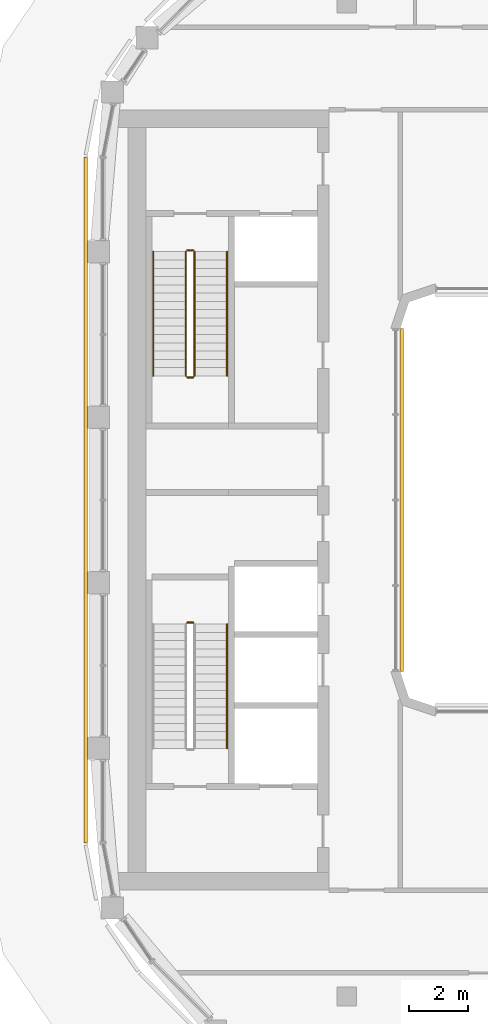
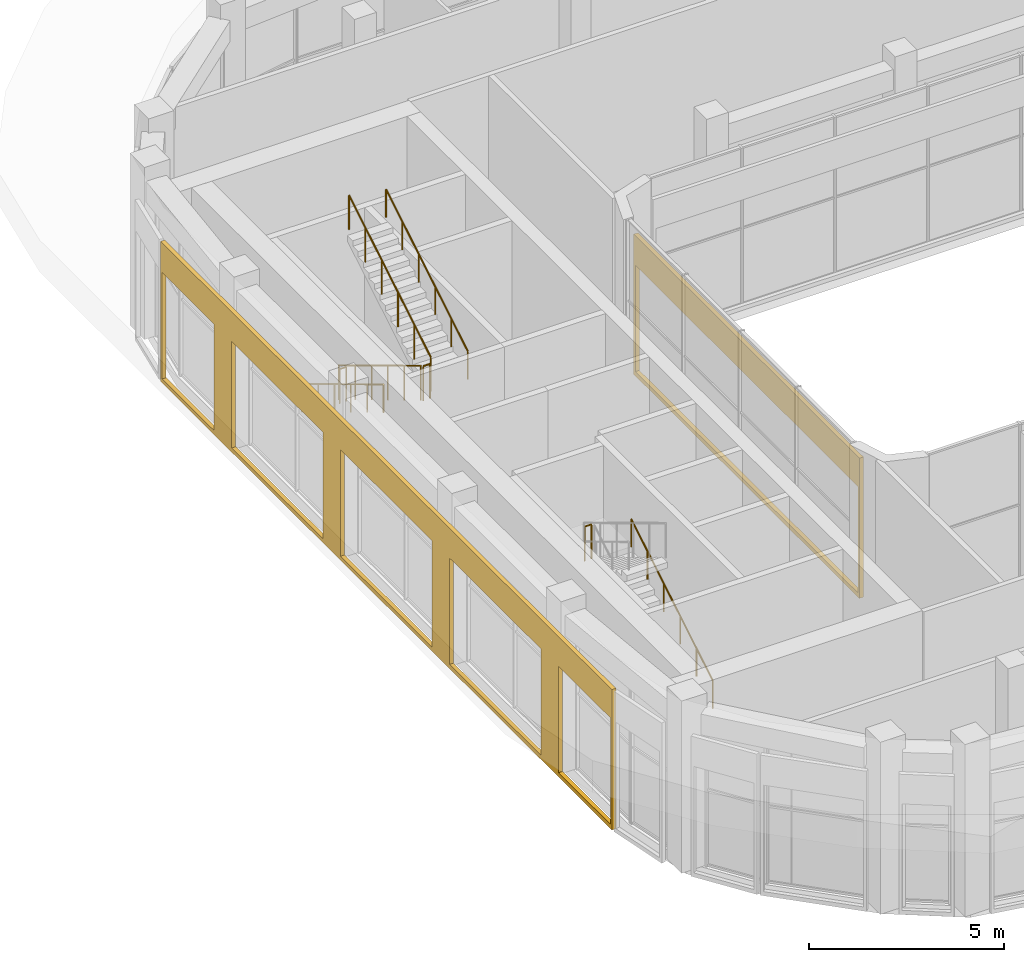
# One storey, part 21 of 24: 8 railings, 2 coverings.
"""IFC4 building model written with IfcOpenShell, lengths in metres."""

from ifc_helpers import new_model, si_unit, direction, frame, origin, origin_2d, place, context, subcontext, project, spatial, polyline, circle, outline, extrude, material, layer, layer_set, type_object, element, save


model = new_model("IFC4")

# Units and contexts
model_context = context("Model", 3, precision=1e-05, world=origin(), true_north=direction((0.0, 1.0)))
body_context = subcontext(model_context, "Body", "Model", "MODEL_VIEW")
ifc_project = project(units=[si_unit("LENGTHUNIT", "METRE"), si_unit("AREAUNIT", "SQUARE_METRE"), si_unit("VOLUMEUNIT", "CUBIC_METRE"), si_unit("PLANEANGLEUNIT", "RADIAN"), si_unit("MASSUNIT", "GRAM", prefix="KILO")], contexts=[model_context])

# Site, building, storey
site_placement = place(None, origin())
site = spatial("IfcSite", under=ifc_project, at=site_placement, CompositionType="ELEMENT")
building_placement = place(site_placement, origin())
building = spatial("IfcBuilding", under=site, at=building_placement, Name="Kiln Ring Residences", CompositionType="ELEMENT")
storey_placement = place(building_placement, frame((0.0, 0.0, 283.699951171875)))
storey = spatial("IfcBuildingStorey", under=building, at=storey_placement, Name="L74", CompositionType="ELEMENT", Elevation=283.699951171875)

# Railings
ifc_material_1 = material(Name="Stainless steel", Category="steel")
railing_type_1 = type_object("IfcRailingType", Name="CORE-STAIR-GUARD", PredefinedType="GUARDRAIL", material=ifc_material_1)
railing_1_placement = place(storey_placement, frame((-22.25, 8.39990234375, 0.168701171875)))
element("IfcRailing", 1, at=railing_1_placement, inside=storey, type_object=railing_type_1, Name="L74 W-STN stair guard 1", PredefinedType="GUARDRAIL", context=body_context, shape_type="SweptSolid", body=[
    extrude(circle(Radius=0.02392578125, at=origin_2d()), frame((0.0, 0.0, 1.076171875), z_axis=(0.0, -0.856476492594, 0.516186030065), x_axis=(1.0, 0.0, 0.0)), (0.0, 0.0, 1.0), 4.90380859375),
    extrude(circle(Radius=0.02099609375, at=origin_2d()), origin(), (0.0, 0.0, 1.0), 1.052001953125),
    extrude(circle(Radius=0.02099609375, at=origin_2d()), frame((0.0, -0.840087890625, 0.50634765625)), (0.0, 0.0, 1.0), 1.052001953125),
    extrude(circle(Radius=0.02099609375, at=origin_2d()), frame((0.0, -1.679931640625, 1.012451171875)), (0.0, 0.0, 1.0), 1.052001953125),
    extrude(circle(Radius=0.02099609375, at=origin_2d()), frame((0.0, -2.52001953125, 1.518798828125)), (0.0, 0.0, 1.0), 1.052001953125),
    extrude(circle(Radius=0.02099609375, at=origin_2d()), frame((0.0, -3.35986328125, 2.02490234375)), (0.0, 0.0, 1.0), 1.052001953125),
    extrude(circle(Radius=0.02099609375, at=origin_2d()), frame((0.0, -4.199951171875, 2.53125)), (0.0, 0.0, 1.0), 1.052001953125),
])
railing_2_placement = place(storey_placement, frame((-22.199951171875, 4.14990234375, 2.699951171875)))
element("IfcRailing", 2, at=railing_2_placement, inside=storey, type_object=railing_type_1, Name="L74 W-STN stair guard 2", PredefinedType="GUARDRAIL", context=body_context, shape_type="SweptSolid", body=[
    extrude(circle(Radius=0.02392578125, at=origin_2d()), frame((0.0, 0.0, 1.076171875), z_axis=(1.0, 0.0, 0.0), x_axis=(0.0, 1.0, 0.0)), (0.0, 0.0, 1.0), 0.199951171875),
    extrude(circle(Radius=0.02099609375, at=origin_2d()), origin(), (0.0, 0.0, 1.0), 1.052001953125),
    extrude(circle(Radius=0.02099609375, at=origin_2d()), frame((0.199951171875, 0.0, 0.0)), (0.0, 0.0, 1.0), 1.052001953125),
])
railing_3_placement = place(storey_placement, frame((-21.949951171875, 4.199951171875, 2.868896484375)))
element("IfcRailing", 3, at=railing_3_placement, inside=storey, type_object=railing_type_1, Name="L74 W-STN stair guard 3", PredefinedType="GUARDRAIL", context=body_context, shape_type="SweptSolid", body=[
    extrude(circle(Radius=0.02392578125, at=origin_2d()), frame((0.0, 0.0, 1.076171875), z_axis=(0.0, 0.856476492594, 0.516186030065), x_axis=(-1.0, 0.0, 0.0)), (0.0, 0.0, 1.0), 4.90380859375),
    extrude(circle(Radius=0.02099609375, at=origin_2d()), origin(), (0.0, 0.0, 1.0), 1.052001953125),
    extrude(circle(Radius=0.02099609375, at=origin_2d()), frame((0.0, 0.840087890625, 0.50634765625)), (0.0, 0.0, 1.0), 1.052001953125),
    extrude(circle(Radius=0.02099609375, at=origin_2d()), frame((0.0, 1.679931640625, 1.012451171875)), (0.0, 0.0, 1.0), 1.052001953125),
    extrude(circle(Radius=0.02099609375, at=origin_2d()), frame((0.0, 2.52001953125, 1.518798828125)), (0.0, 0.0, 1.0), 1.052001953125),
    extrude(circle(Radius=0.02099609375, at=origin_2d()), frame((0.0, 3.35986328125, 2.02490234375)), (0.0, 0.0, 1.0), 1.052001953125),
    extrude(circle(Radius=0.02099609375, at=origin_2d()), frame((0.0, 4.199951171875, 2.53125)), (0.0, 0.0, 1.0), 1.052001953125),
])
railing_4_placement = place(storey_placement, frame((-22.199951171875, 8.449951171875, 0.0)))
element("IfcRailing", 4, at=railing_4_placement, inside=storey, type_object=railing_type_1, Name="L74 W-STN stair guard 4", PredefinedType="GUARDRAIL", context=body_context, shape_type="SweptSolid", body=[
    extrude(circle(Radius=0.02392578125, at=origin_2d()), frame((0.0, 0.0, 1.076171875), z_axis=(1.0, 0.0, 0.0), x_axis=(0.0, 1.0, 0.0)), (0.0, 0.0, 1.0), 0.199951171875),
    extrude(circle(Radius=0.02099609375, at=origin_2d()), origin(), (0.0, 0.0, 1.0), 1.052001953125),
    extrude(circle(Radius=0.02099609375, at=origin_2d()), frame((0.199951171875, 0.0, 0.0)), (0.0, 0.0, 1.0), 1.052001953125),
])
railing_5_placement = place(storey_placement, frame((-22.0, -4.14990234375, 2.699951171875)))
element("IfcRailing", 5, at=railing_5_placement, inside=storey, type_object=railing_type_1, Name="L74 W-STS stair guard 2", PredefinedType="GUARDRAIL", context=body_context, shape_type="SweptSolid", body=[
    extrude(circle(Radius=0.02392578125, at=origin_2d()), frame((0.0, 0.0, 1.076171875), z_axis=(-1.0, 0.0, 0.0), x_axis=(0.0, -1.0, 0.0)), (0.0, 0.0, 1.0), 0.199951171875),
    extrude(circle(Radius=0.02099609375, at=origin_2d()), origin(), (0.0, 0.0, 1.0), 1.052001953125),
    extrude(circle(Radius=0.02099609375, at=origin_2d()), frame((-0.199951171875, 0.0, 0.0)), (0.0, 0.0, 1.0), 1.052001953125),
])
ifc_material_2 = material(Name="Stainless steel", Category="steel")
railing_type_2 = type_object("IfcRailingType", Name="CORE-STAIR-HANDRAIL", PredefinedType="HANDRAIL", material=ifc_material_2)
railing_6_placement = place(storey_placement, frame((-23.35009765625, 8.39990234375, 0.168701171875)))
element("IfcRailing", 6, at=railing_6_placement, inside=storey, type_object=railing_type_2, Name="L74 W-STN stair handrail 1", PredefinedType="HANDRAIL", context=body_context, shape_type="SweptSolid", body=[
    extrude(circle(Radius=0.02392578125, at=origin_2d()), frame((0.0, 0.0, 0.8759765625), z_axis=(0.0, -0.856476492594, 0.516186030065), x_axis=(1.0, 0.0, 0.0)), (0.0, 0.0, 1.0), 4.90380859375),
    extrude(circle(Radius=0.02099609375, at=origin_2d()), origin(), (0.0, 0.0, 1.0), 0.851806640625),
    extrude(circle(Radius=0.02099609375, at=origin_2d()), frame((0.0, -0.840087890625, 0.50634765625)), (0.0, 0.0, 1.0), 0.851806640625),
    extrude(circle(Radius=0.02099609375, at=origin_2d()), frame((0.0, -1.679931640625, 1.012451171875)), (0.0, 0.0, 1.0), 0.851806640625),
    extrude(circle(Radius=0.02099609375, at=origin_2d()), frame((0.0, -2.52001953125, 1.518798828125)), (0.0, 0.0, 1.0), 0.851806640625),
    extrude(circle(Radius=0.02099609375, at=origin_2d()), frame((0.0, -3.35986328125, 2.02490234375)), (0.0, 0.0, 1.0), 0.851806640625),
    extrude(circle(Radius=0.02099609375, at=origin_2d()), frame((0.0, -4.199951171875, 2.53125)), (0.0, 0.0, 1.0), 0.851806640625),
])
for number, where, name in (
    (7, (-20.85009765625, 4.199951171875, 2.868896484375), "L74 W-STN stair handrail 2"),
    (8, (-20.85009765625, -8.39990234375, 0.168701171875), "L74 W-STS stair handrail 1"),
):
    element("IfcRailing", number, at=place(storey_placement, frame(where)), inside=storey, type_object=railing_type_2, Name=name, PredefinedType="HANDRAIL", context=body_context, shape_type="SweptSolid", body=[
        extrude(circle(Radius=0.02392578125, at=origin_2d()), frame((0.0, 0.0, 0.8759765625), z_axis=(0.0, 0.856476492594, 0.516186030065), x_axis=(-1.0, 0.0, 0.0)), (0.0, 0.0, 1.0), 4.90380859375),
        extrude(circle(Radius=0.02099609375, at=origin_2d()), origin(), (0.0, 0.0, 1.0), 0.851806640625),
        extrude(circle(Radius=0.02099609375, at=origin_2d()), frame((0.0, 0.840087890625, 0.50634765625)), (0.0, 0.0, 1.0), 0.851806640625),
        extrude(circle(Radius=0.02099609375, at=origin_2d()), frame((0.0, 1.679931640625, 1.012451171875)), (0.0, 0.0, 1.0), 0.851806640625),
        extrude(circle(Radius=0.02099609375, at=origin_2d()), frame((0.0, 2.52001953125, 1.518798828125)), (0.0, 0.0, 1.0), 0.851806640625),
        extrude(circle(Radius=0.02099609375, at=origin_2d()), frame((0.0, 3.35986328125, 2.02490234375)), (0.0, 0.0, 1.0), 0.851806640625),
        extrude(circle(Radius=0.02099609375, at=origin_2d()), frame((0.0, 4.199951171875, 2.53125)), (0.0, 0.0, 1.0), 0.851806640625),
    ])

# Coverings
ifc_material_3 = material(Name="Brick masonry, dark clay brick", Category="masonry")
ifc_layer = layer(ifc_material_3, 0.1201171875)
ifc_layer_set = layer_set([ifc_layer], Name="RAINSCREEN PANEL 120")
covering_type = type_object("IfcCoveringType", Name="RAINSCREEN PANEL 120", PredefinedType="CLADDING", material=ifc_layer_set)
covering_1_placement = place(storey_placement, frame((-25.635009765625, 11.60009765625, 0.0), z_axis=(0.0, 0.0, 1.0), x_axis=(0.0, -1.0, 0.0)))
element("IfcCovering", 9, at=covering_1_placement, inside=storey, type_object=covering_type, Name="RAINSCREEN L74", PredefinedType="CLADDING", context=body_context, shape_type="SweptSolid", body=[
    extrude(outline(polyline([(0.0, 0.0), (23.199951171875, 0.0), (23.199951171875, 4.400146484375), (0.0, 4.400146484375), (0.0, 0.0)]), holes=[polyline([(2.7451171875, 0.130126953125), (2.7451171875, 3.469970703125), (0.080078125, 3.469970703125), (0.080078125, 0.130126953125), (2.7451171875, 0.130126953125)]), polyline([(8.344970703125, 0.130126953125), (8.344970703125, 3.469970703125), (3.655029296875, 3.469970703125), (3.655029296875, 0.130126953125), (8.344970703125, 0.130126953125)]), polyline([(13.945068359375, 0.130126953125), (13.945068359375, 3.469970703125), (9.2548828125, 3.469970703125), (9.2548828125, 0.130126953125), (13.945068359375, 0.130126953125)]), polyline([(14.85498046875, 0.130126953125), (19.544921875, 0.130126953125), (19.544921875, 3.469970703125), (14.85498046875, 3.469970703125), (14.85498046875, 0.130126953125)]), polyline([(20.455078125, 0.130126953125), (23.1201171875, 0.130126953125), (23.1201171875, 3.469970703125), (20.455078125, 3.469970703125), (20.455078125, 0.130126953125)])]), frame((0.0, 0.06005859375, 0.0), z_axis=(0.0, -1.0, 0.0), x_axis=(1.0, 0.0, 0.0)), (0.0, 0.0, 1.0), 0.1201171875),
])
covering_2_placement = place(storey_placement, frame((-14.93994140625, -5.800048828125, 0.0), z_axis=(0.0, 0.0, 1.0), x_axis=(0.0, 1.0, 0.0)))
element("IfcCovering", 10, at=covering_2_placement, inside=storey, type_object=covering_type, Name="RAINSCREEN L74", PredefinedType="CLADDING", context=body_context, shape_type="SweptSolid", body=[
    extrude(outline(polyline([(0.0, 0.0), (11.60009765625, 0.0), (11.60009765625, 4.400146484375), (0.0, 4.400146484375), (0.0, 0.0)]), holes=[polyline([(0.080078125, 3.469970703125), (0.080078125, 0.130126953125), (11.52001953125, 0.130126953125), (11.52001953125, 3.469970703125), (0.080078125, 3.469970703125)])]), frame((0.0, 0.06005859375, 0.0), z_axis=(0.0, -1.0, 0.0), x_axis=(1.0, 0.0, 0.0)), (0.0, 0.0, 1.0), 0.1201171875),
])

save(model, "model.ifc")
